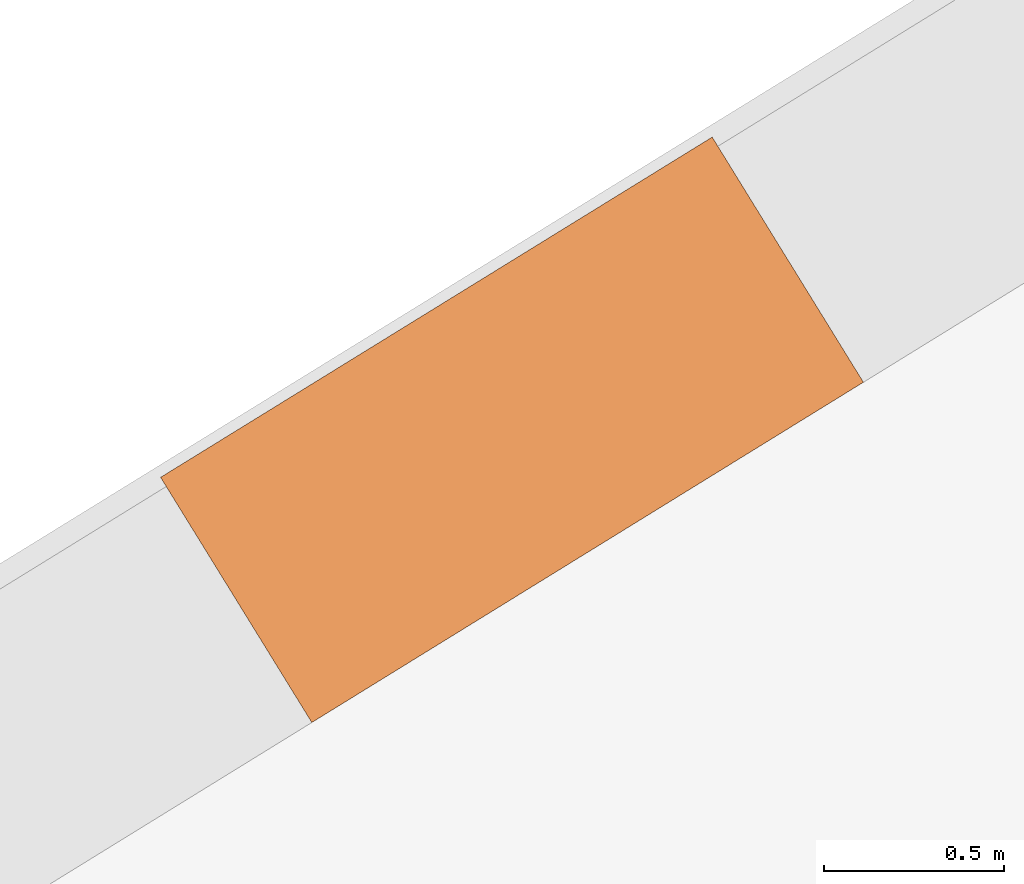
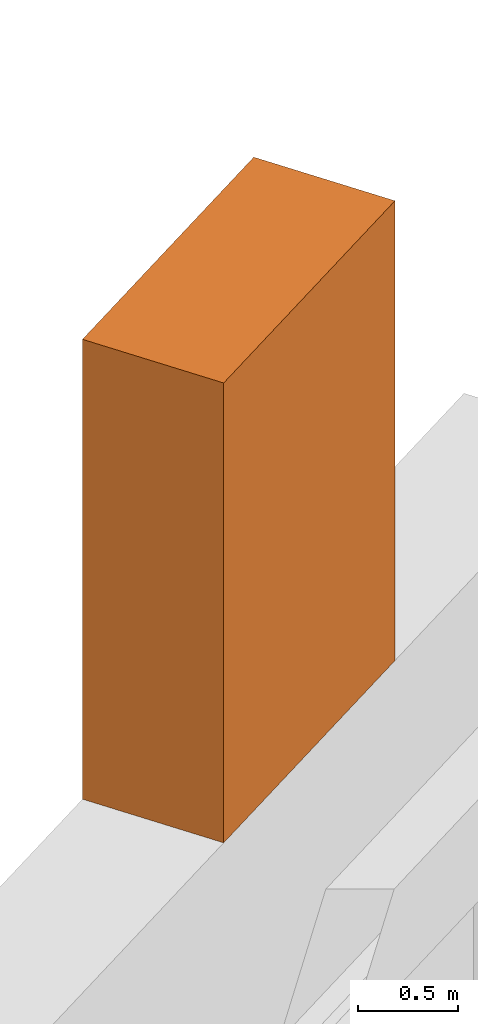
# One storey, part 22 of 22: 1 proxy.
"""IFC4 building model written with IfcOpenShell, lengths in metres."""

from ifc_helpers import new_model, si_unit, direction, frame, origin, origin_2d, place, context, subcontext, project, spatial, rectangle, extrude, element, save


model = new_model("IFC4")

# Units and contexts
model_context = context("Model", 3, precision=1e-05, world=origin(), true_north=direction((0.0, 1.0)))
body_context = subcontext(model_context, "Body", "Model", "MODEL_VIEW")
ifc_project = project(units=[si_unit("LENGTHUNIT", "METRE"), si_unit("AREAUNIT", "SQUARE_METRE"), si_unit("VOLUMEUNIT", "CUBIC_METRE"), si_unit("PLANEANGLEUNIT", "RADIAN"), si_unit("MASSUNIT", "GRAM", prefix="KILO")], contexts=[model_context])

# Site, building, storey
site_placement = place(None, origin())
site = spatial("IfcSite", under=ifc_project, at=site_placement, CompositionType="ELEMENT")
building_placement = place(site_placement, origin())
building = spatial("IfcBuilding", under=site, at=building_placement, Name="Cantera Rosa Tower", CompositionType="ELEMENT")
storey_placement = place(building_placement, frame((0.0, 0.0, 174.199951171875)))
storey = spatial("IfcBuildingStorey", under=building, at=storey_placement, Name="L38", CompositionType="ELEMENT", Elevation=174.199951171875)

# Proxy
proxy_placement = place(storey_placement, frame((-5.021240234375, 24.750732421875, 1.60009765625), z_axis=(0.0, 0.0, 1.0), x_axis=(-0.851116672434, -0.52497658034, 0.0)))
element("IfcBuildingElementProxy", 1, at=proxy_placement, inside=storey, Name="TREE L38-07", ObjectType="TREE", PredefinedType="USERDEFINED", context=body_context, shape_type="SweptSolid", body=[
    extrude(rectangle(XDim=1.800048828125, YDim=0.800048828125, at=origin_2d()), origin(), (0.0, 0.0, 1.0), 2.800048828125),
])

save(model, "model.ifc")
